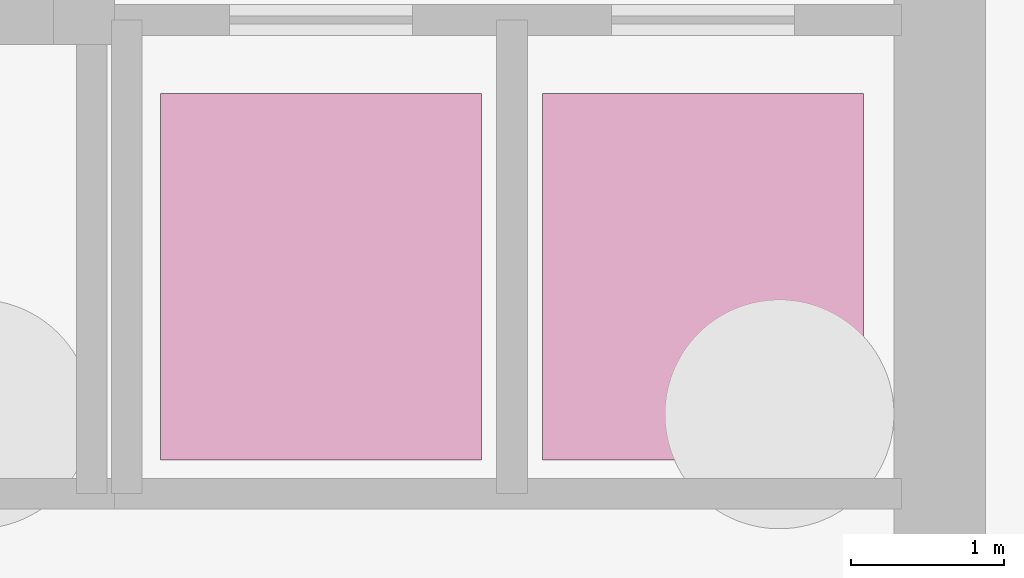
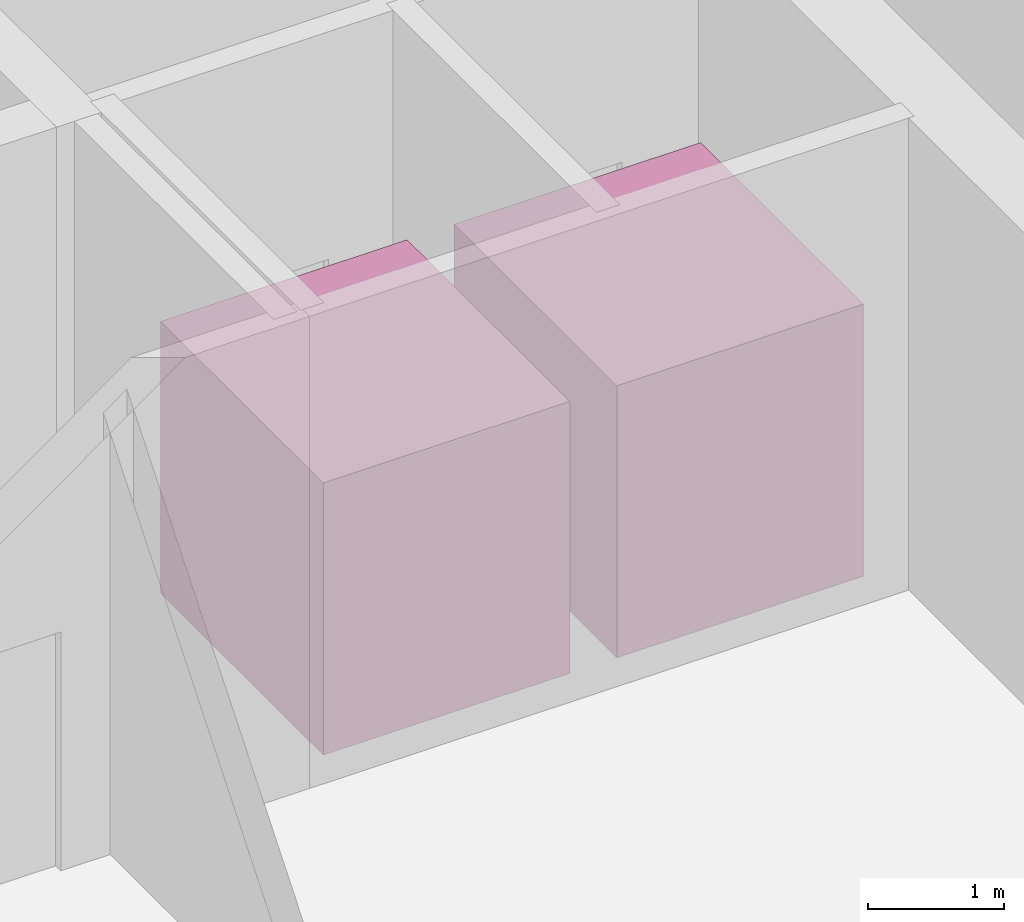
# One storey, part 11 of 11: 2 transport elements.
"""IFC4 building model written with IfcOpenShell, lengths in metres."""

from ifc_helpers import new_model, si_unit, direction, frame, origin, place, context, subcontext, project, spatial, polyline, outline, extrude, material, type_object, element, save


model = new_model("IFC4")

# Units and contexts
model_context = context("Model", 3, precision=1e-05, world=origin(), true_north=direction((0.0, 1.0)))
body_context = subcontext(model_context, "Body", "Model", "MODEL_VIEW")
ifc_project = project(units=[si_unit("LENGTHUNIT", "METRE"), si_unit("AREAUNIT", "SQUARE_METRE"), si_unit("VOLUMEUNIT", "CUBIC_METRE"), si_unit("PLANEANGLEUNIT", "RADIAN"), si_unit("MASSUNIT", "GRAM", prefix="KILO")], contexts=[model_context])

# Site, building, storey
site_placement = place(None, origin())
site = spatial("IfcSite", under=ifc_project, at=site_placement, CompositionType="ELEMENT")
building_placement = place(site_placement, origin())
building = spatial("IfcBuilding", under=site, at=building_placement, Name="Cobrela Telecom Tower", CompositionType="ELEMENT")
storey_placement = place(building_placement, frame((0.0, 0.0, -9.10009765625)))
storey = spatial("IfcBuildingStorey", under=building, at=storey_placement, Name="B2", CompositionType="ELEMENT", Elevation=-9.10009765625)

# Transport elements
ifc_material = material(Name="Steel ASTM A36", Category="steel")
transport_element_type = type_object("IfcTransportElementType", Name="LIFT-FFL-2100", PredefinedType="ELEVATOR", material=ifc_material)
transport_element_1_placement = place(storey_placement, origin())
element("IfcTransportElement", 1, at=transport_element_1_placement, inside=storey, type_object=transport_element_type, Name="Firefighting Lift Car FFL-1", PredefinedType="ELEVATOR", context=body_context, shape_type="SweptSolid", body=[
    extrude(outline(polyline([(9.0, 29.0), (11.10009765625, 29.0), (11.10009765625, 31.39990234375), (9.0, 31.39990234375), (9.0, 29.0)])), origin(), (0.0, 0.0, 1.0), 2.4501953125),
])
transport_element_2_placement = place(storey_placement, origin())
element("IfcTransportElement", 2, at=transport_element_2_placement, inside=storey, type_object=transport_element_type, Name="Firefighting Lift Car FFL-2", PredefinedType="ELEVATOR", context=body_context, shape_type="SweptSolid", body=[
    extrude(outline(polyline([(11.5, 29.0), (13.60009765625, 29.0), (13.60009765625, 31.39990234375), (11.5, 31.39990234375), (11.5, 29.0)])), origin(), (0.0, 0.0, 1.0), 2.4501953125),
])

save(model, "model.ifc")
